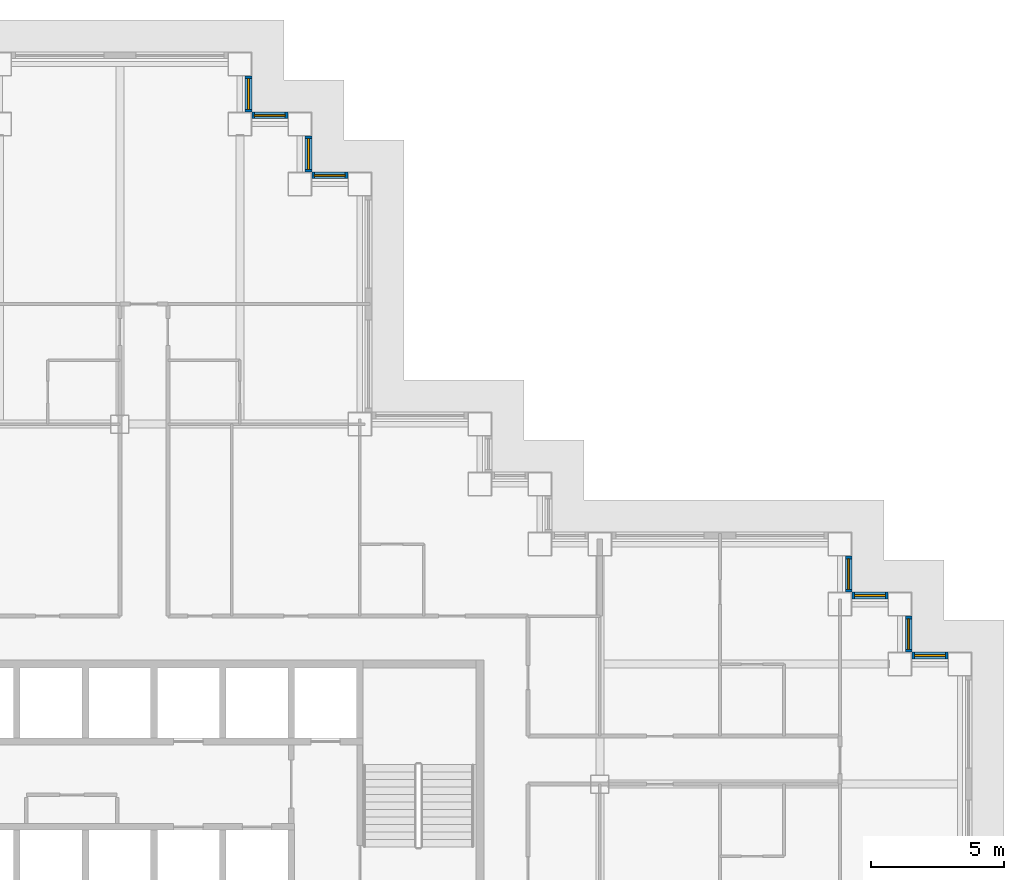
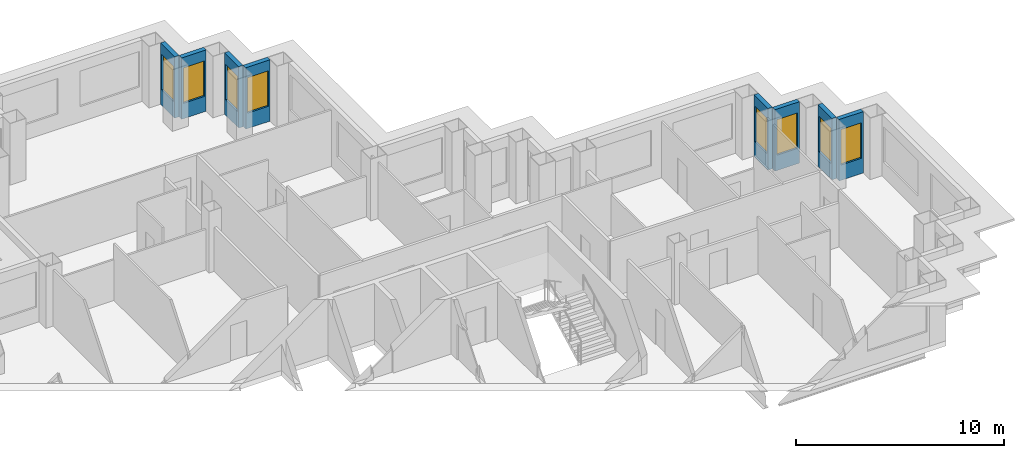
# One storey, part 10 of 15: 8 walls, 8 windows, 8 openings.
"""IFC4 building model written with IfcOpenShell, lengths in metres."""

from ifc_helpers import new_model, si_unit, direction, frame, frame_2d, origin, place, context, subcontext, project, spatial, rectangle, extrude, material, layer, layer_set, type_object, element, fill, save


model = new_model("IFC4")

# Units and contexts
model_context = context("Model", 3, precision=1e-05, world=origin(), true_north=direction((0.0, 1.0)))
body_context = subcontext(model_context, "Body", "Model", "MODEL_VIEW")
ifc_project = project(units=[si_unit("LENGTHUNIT", "METRE"), si_unit("AREAUNIT", "SQUARE_METRE"), si_unit("VOLUMEUNIT", "CUBIC_METRE"), si_unit("PLANEANGLEUNIT", "RADIAN"), si_unit("MASSUNIT", "GRAM", prefix="KILO")], contexts=[model_context])

# Site, building, storey
site_placement = place(None, origin())
site = spatial("IfcSite", under=ifc_project, at=site_placement, CompositionType="ELEMENT")
building_placement = place(site_placement, origin())
building = spatial("IfcBuilding", under=site, at=building_placement, Name="Caravel Reach Hotel and Residences", CompositionType="ELEMENT")
storey_placement = place(building_placement, frame((0.0, 0.0, 104.39990234375)))
storey = spatial("IfcBuildingStorey", under=building, at=storey_placement, Name="L25", CompositionType="ELEMENT", Elevation=104.39990234375)

# Wall, opening, window
ifc_material_1 = material(Name="Insulated rainscreen wall, aluminium cladding", Category="aluminium")
ifc_layer = layer(ifc_material_1, 0.25)
ifc_layer_set = layer_set([ifc_layer], Name="EW1 Tower rainscreen wall")
wall_type = type_object("IfcWallType", Name="EW1 Tower rainscreen wall", PredefinedType="SOLIDWALL", material=ifc_layer_set)
wall_1_placement = place(storey_placement, frame((62.550048828125, 31.824951171875, 0.0), z_axis=(0.0, 0.0, 1.0), x_axis=(-1.0, 0.0, 0.0)))
wall_1 = element("IfcWall", 1, at=wall_1_placement, inside=storey, type_object=wall_type, Name="External wall L25 N21.1", PredefinedType="SOLIDWALL", context=body_context, shape_type="SweptSolid", body=[
    extrude(rectangle(XDim=1.35009765625, YDim=0.25, at=frame_2d((0.675048828125, 0.0))), origin(), (0.0, 0.0, 1.0), 3.60009765625),
])
opening_1_placement = place(wall_1_placement, frame((0.10009765625, 0.0, 0.89990234375)))
opening_1 = element("IfcOpeningElement", 2, at=opening_1_placement, cuts=wall_1, Name="Opening WN8", PredefinedType="OPENING", context=body_context, shape_type="SweptSolid", body=[
    extrude(rectangle(XDim=1.14990234375, YDim=2.080078125, at=frame_2d((0.574951171875, 1.0400390625))), frame((0.0, 0.135009765625, 0.0), z_axis=(0.0, -1.0, 0.0), x_axis=(1.0, 0.0, 0.0)), (0.0, 0.0, 1.0), 0.27001953125),
])
ifc_material_2 = material(Name="Dark low-e glazing in black aluminium frame", Category="aluminium")
window_type = type_object("IfcWindowType", Name="Hotel suite corner window 1150 x 2080", PartitioningType="SINGLE_PANEL", PredefinedType="WINDOW", material=ifc_material_2)
window_1_placement = place(opening_1_placement, origin())
window_1 = element("IfcWindow", 3, at=window_1_placement, inside=storey, type_object=window_type, Name="Window L25 N21.1.1", OverallHeight=2.080078125, OverallWidth=1.14990234375, PartitioningType="SINGLE_PANEL", PredefinedType="WINDOW", context=body_context, shape_type="SweptSolid", body=[
    extrude(rectangle(XDim=1.14990234375, YDim=2.080078125, at=frame_2d((0.574951171875, 1.0400390625))), frame((0.0, 0.030029296875, 0.0), z_axis=(0.0, -1.0, 0.0), x_axis=(1.0, 0.0, 0.0)), (0.0, 0.0, 1.0), 0.06005859375),
])
fill(opening_1, window_1)

wall_2_placement = place(storey_placement, frame((61.074951171875, 31.949951171875, 0.0), z_axis=(0.0, 0.0, 1.0), x_axis=(0.0, 1.0, 0.0)))
wall_2 = element("IfcWall", 4, at=wall_2_placement, inside=storey, type_object=wall_type, Name="External wall L25 E22.1", PredefinedType="SOLIDWALL", context=body_context, shape_type="SweptSolid", body=[
    extrude(rectangle(XDim=1.35009765625, YDim=0.25, at=frame_2d((0.675048828125, 0.0))), origin(), (0.0, 0.0, 1.0), 3.60009765625),
])
opening_2_placement = place(wall_2_placement, frame((0.10009765625, 0.0, 0.89990234375)))
opening_2 = element("IfcOpeningElement", 5, at=opening_2_placement, cuts=wall_2, Name="Opening WN8", PredefinedType="OPENING", context=body_context, shape_type="SweptSolid", body=[
    extrude(rectangle(XDim=1.14990234375, YDim=2.080078125, at=frame_2d((0.574951171875, 1.0400390625))), frame((0.0, 0.135009765625, 0.0), z_axis=(0.0, -1.0, 0.0), x_axis=(1.0, 0.0, 0.0)), (0.0, 0.0, 1.0), 0.27001953125),
])
window_2_placement = place(opening_2_placement, origin())
window_2 = element("IfcWindow", 6, at=window_2_placement, inside=storey, type_object=window_type, Name="Window L25 E22.1.1", OverallHeight=2.080078125, OverallWidth=1.14990234375, PartitioningType="SINGLE_PANEL", PredefinedType="WINDOW", context=body_context, shape_type="SweptSolid", body=[
    extrude(rectangle(XDim=1.14990234375, YDim=2.080078125, at=frame_2d((0.574951171875, 1.0400390625))), frame((0.0, 0.030029296875, 0.0), z_axis=(0.0, -1.0, 0.0), x_axis=(1.0, 0.0, 0.0)), (0.0, 0.0, 1.0), 0.06005859375),
])
fill(opening_2, window_2)

wall_3_placement = place(storey_placement, frame((60.300048828125, 34.074951171875, 0.0), z_axis=(0.0, 0.0, 1.0), x_axis=(-1.0, 0.0, 0.0)))
wall_3 = element("IfcWall", 7, at=wall_3_placement, inside=storey, type_object=wall_type, Name="External wall L25 N23.1", PredefinedType="SOLIDWALL", context=body_context, shape_type="SweptSolid", body=[
    extrude(rectangle(XDim=1.35009765625, YDim=0.25, at=frame_2d((0.675048828125, 0.0))), origin(), (0.0, 0.0, 1.0), 3.60009765625),
])
opening_3_placement = place(wall_3_placement, frame((0.10009765625, 0.0, 0.89990234375)))
opening_3 = element("IfcOpeningElement", 8, at=opening_3_placement, cuts=wall_3, Name="Opening WN8", PredefinedType="OPENING", context=body_context, shape_type="SweptSolid", body=[
    extrude(rectangle(XDim=1.14990234375, YDim=2.080078125, at=frame_2d((0.574951171875, 1.0400390625))), frame((0.0, 0.135009765625, 0.0), z_axis=(0.0, -1.0, 0.0), x_axis=(1.0, 0.0, 0.0)), (0.0, 0.0, 1.0), 0.27001953125),
])
window_3_placement = place(opening_3_placement, origin())
window_3 = element("IfcWindow", 9, at=window_3_placement, inside=storey, type_object=window_type, Name="Window L25 N23.1.1", OverallHeight=2.080078125, OverallWidth=1.14990234375, PartitioningType="SINGLE_PANEL", PredefinedType="WINDOW", context=body_context, shape_type="SweptSolid", body=[
    extrude(rectangle(XDim=1.14990234375, YDim=2.080078125, at=frame_2d((0.574951171875, 1.0400390625))), frame((0.0, 0.030029296875, 0.0), z_axis=(0.0, -1.0, 0.0), x_axis=(1.0, 0.0, 0.0)), (0.0, 0.0, 1.0), 0.06005859375),
])
fill(opening_3, window_3)

wall_4_placement = place(storey_placement, frame((58.824951171875, 34.199951171875, 0.0), z_axis=(0.0, 0.0, 1.0), x_axis=(0.0, 1.0, 0.0)))
wall_4 = element("IfcWall", 10, at=wall_4_placement, inside=storey, type_object=wall_type, Name="External wall L25 E24.1", PredefinedType="SOLIDWALL", context=body_context, shape_type="SweptSolid", body=[
    extrude(rectangle(XDim=1.35009765625, YDim=0.25, at=frame_2d((0.675048828125, 0.0))), origin(), (0.0, 0.0, 1.0), 3.60009765625),
])
opening_4_placement = place(wall_4_placement, frame((0.10009765625, 0.0, 0.89990234375)))
opening_4 = element("IfcOpeningElement", 11, at=opening_4_placement, cuts=wall_4, Name="Opening WN8", PredefinedType="OPENING", context=body_context, shape_type="SweptSolid", body=[
    extrude(rectangle(XDim=1.14990234375, YDim=2.080078125, at=frame_2d((0.574951171875, 1.0400390625))), frame((0.0, 0.135009765625, 0.0), z_axis=(0.0, -1.0, 0.0), x_axis=(1.0, 0.0, 0.0)), (0.0, 0.0, 1.0), 0.27001953125),
])
window_4_placement = place(opening_4_placement, origin())
window_4 = element("IfcWindow", 12, at=window_4_placement, inside=storey, type_object=window_type, Name="Window L25 E24.1.1", OverallHeight=2.080078125, OverallWidth=1.14990234375, PartitioningType="SINGLE_PANEL", PredefinedType="WINDOW", context=body_context, shape_type="SweptSolid", body=[
    extrude(rectangle(XDim=1.14990234375, YDim=2.080078125, at=frame_2d((0.574951171875, 1.0400390625))), frame((0.0, 0.030029296875, 0.0), z_axis=(0.0, -1.0, 0.0), x_axis=(1.0, 0.0, 0.0)), (0.0, 0.0, 1.0), 0.06005859375),
])
fill(opening_4, window_4)

wall_5_placement = place(storey_placement, frame((40.050048828125, 49.824951171875, 0.0), z_axis=(0.0, 0.0, 1.0), x_axis=(-1.0, 0.0, 0.0)))
wall_5 = element("IfcWall", 13, at=wall_5_placement, inside=storey, type_object=wall_type, Name="External wall L25 N31.1", PredefinedType="SOLIDWALL", context=body_context, shape_type="SweptSolid", body=[
    extrude(rectangle(XDim=1.35009765625, YDim=0.25, at=frame_2d((0.675048828125, 0.0))), origin(), (0.0, 0.0, 1.0), 3.60009765625),
])
opening_5_placement = place(wall_5_placement, frame((0.10009765625, 0.0, 0.89990234375)))
opening_5 = element("IfcOpeningElement", 14, at=opening_5_placement, cuts=wall_5, Name="Opening WN8", PredefinedType="OPENING", context=body_context, shape_type="SweptSolid", body=[
    extrude(rectangle(XDim=1.14990234375, YDim=2.080078125, at=frame_2d((0.574951171875, 1.0400390625))), frame((0.0, 0.135009765625, 0.0), z_axis=(0.0, -1.0, 0.0), x_axis=(1.0, 0.0, 0.0)), (0.0, 0.0, 1.0), 0.27001953125),
])
window_5_placement = place(opening_5_placement, origin())
window_5 = element("IfcWindow", 15, at=window_5_placement, inside=storey, type_object=window_type, Name="Window L25 N31.1.1", OverallHeight=2.080078125, OverallWidth=1.14990234375, PartitioningType="SINGLE_PANEL", PredefinedType="WINDOW", context=body_context, shape_type="SweptSolid", body=[
    extrude(rectangle(XDim=1.14990234375, YDim=2.080078125, at=frame_2d((0.574951171875, 1.0400390625))), frame((0.0, 0.030029296875, 0.0), z_axis=(0.0, -1.0, 0.0), x_axis=(1.0, 0.0, 0.0)), (0.0, 0.0, 1.0), 0.06005859375),
])
fill(opening_5, window_5)

wall_6_placement = place(storey_placement, frame((38.574951171875, 49.949951171875, 0.0), z_axis=(0.0, 0.0, 1.0), x_axis=(0.0, 1.0, 0.0)))
wall_6 = element("IfcWall", 16, at=wall_6_placement, inside=storey, type_object=wall_type, Name="External wall L25 E32.1", PredefinedType="SOLIDWALL", context=body_context, shape_type="SweptSolid", body=[
    extrude(rectangle(XDim=1.35009765625, YDim=0.25, at=frame_2d((0.675048828125, 0.0))), origin(), (0.0, 0.0, 1.0), 3.60009765625),
])
opening_6_placement = place(wall_6_placement, frame((0.10009765625, 0.0, 0.89990234375)))
opening_6 = element("IfcOpeningElement", 17, at=opening_6_placement, cuts=wall_6, Name="Opening WN8", PredefinedType="OPENING", context=body_context, shape_type="SweptSolid", body=[
    extrude(rectangle(XDim=1.14990234375, YDim=2.080078125, at=frame_2d((0.574951171875, 1.0400390625))), frame((0.0, 0.135009765625, 0.0), z_axis=(0.0, -1.0, 0.0), x_axis=(1.0, 0.0, 0.0)), (0.0, 0.0, 1.0), 0.27001953125),
])
window_6_placement = place(opening_6_placement, origin())
window_6 = element("IfcWindow", 18, at=window_6_placement, inside=storey, type_object=window_type, Name="Window L25 E32.1.1", OverallHeight=2.080078125, OverallWidth=1.14990234375, PartitioningType="SINGLE_PANEL", PredefinedType="WINDOW", context=body_context, shape_type="SweptSolid", body=[
    extrude(rectangle(XDim=1.14990234375, YDim=2.080078125, at=frame_2d((0.574951171875, 1.0400390625))), frame((0.0, 0.030029296875, 0.0), z_axis=(0.0, -1.0, 0.0), x_axis=(1.0, 0.0, 0.0)), (0.0, 0.0, 1.0), 0.06005859375),
])
fill(opening_6, window_6)

wall_7_placement = place(storey_placement, frame((37.800048828125, 52.074951171875, 0.0), z_axis=(0.0, 0.0, 1.0), x_axis=(-1.0, 0.0, 0.0)))
wall_7 = element("IfcWall", 19, at=wall_7_placement, inside=storey, type_object=wall_type, Name="External wall L25 N33.1", PredefinedType="SOLIDWALL", context=body_context, shape_type="SweptSolid", body=[
    extrude(rectangle(XDim=1.35009765625, YDim=0.25, at=frame_2d((0.675048828125, 0.0))), origin(), (0.0, 0.0, 1.0), 3.60009765625),
])
opening_7_placement = place(wall_7_placement, frame((0.10009765625, 0.0, 0.89990234375)))
opening_7 = element("IfcOpeningElement", 20, at=opening_7_placement, cuts=wall_7, Name="Opening WN8", PredefinedType="OPENING", context=body_context, shape_type="SweptSolid", body=[
    extrude(rectangle(XDim=1.14990234375, YDim=2.080078125, at=frame_2d((0.574951171875, 1.0400390625))), frame((0.0, 0.135009765625, 0.0), z_axis=(0.0, -1.0, 0.0), x_axis=(1.0, 0.0, 0.0)), (0.0, 0.0, 1.0), 0.27001953125),
])
window_7_placement = place(opening_7_placement, origin())
window_7 = element("IfcWindow", 21, at=window_7_placement, inside=storey, type_object=window_type, Name="Window L25 N33.1.1", OverallHeight=2.080078125, OverallWidth=1.14990234375, PartitioningType="SINGLE_PANEL", PredefinedType="WINDOW", context=body_context, shape_type="SweptSolid", body=[
    extrude(rectangle(XDim=1.14990234375, YDim=2.080078125, at=frame_2d((0.574951171875, 1.0400390625))), frame((0.0, 0.030029296875, 0.0), z_axis=(0.0, -1.0, 0.0), x_axis=(1.0, 0.0, 0.0)), (0.0, 0.0, 1.0), 0.06005859375),
])
fill(opening_7, window_7)

wall_8_placement = place(storey_placement, frame((36.324951171875, 52.199951171875, 0.0), z_axis=(0.0, 0.0, 1.0), x_axis=(0.0, 1.0, 0.0)))
wall_8 = element("IfcWall", 22, at=wall_8_placement, inside=storey, type_object=wall_type, Name="External wall L25 E34.1", PredefinedType="SOLIDWALL", context=body_context, shape_type="SweptSolid", body=[
    extrude(rectangle(XDim=1.35009765625, YDim=0.25, at=frame_2d((0.675048828125, 0.0))), origin(), (0.0, 0.0, 1.0), 3.60009765625),
])
opening_8_placement = place(wall_8_placement, frame((0.10009765625, 0.0, 0.89990234375)))
opening_8 = element("IfcOpeningElement", 23, at=opening_8_placement, cuts=wall_8, Name="Opening WN8", PredefinedType="OPENING", context=body_context, shape_type="SweptSolid", body=[
    extrude(rectangle(XDim=1.14990234375, YDim=2.080078125, at=frame_2d((0.574951171875, 1.0400390625))), frame((0.0, 0.135009765625, 0.0), z_axis=(0.0, -1.0, 0.0), x_axis=(1.0, 0.0, 0.0)), (0.0, 0.0, 1.0), 0.27001953125),
])
window_8_placement = place(opening_8_placement, origin())
window_8 = element("IfcWindow", 24, at=window_8_placement, inside=storey, type_object=window_type, Name="Window L25 E34.1.1", OverallHeight=2.080078125, OverallWidth=1.14990234375, PartitioningType="SINGLE_PANEL", PredefinedType="WINDOW", context=body_context, shape_type="SweptSolid", body=[
    extrude(rectangle(XDim=1.14990234375, YDim=2.080078125, at=frame_2d((0.574951171875, 1.0400390625))), frame((0.0, 0.030029296875, 0.0), z_axis=(0.0, -1.0, 0.0), x_axis=(1.0, 0.0, 0.0)), (0.0, 0.0, 1.0), 0.06005859375),
])
fill(opening_8, window_8)

save(model, "model.ifc")
